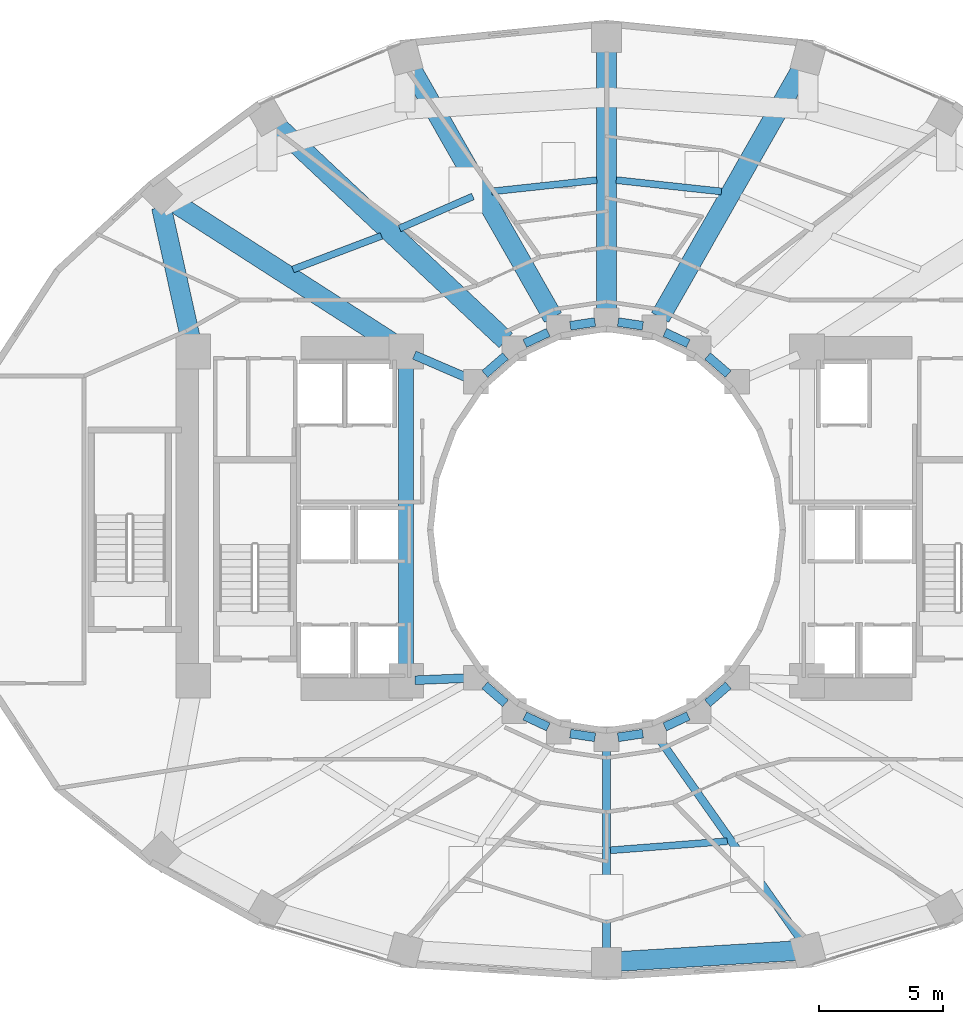
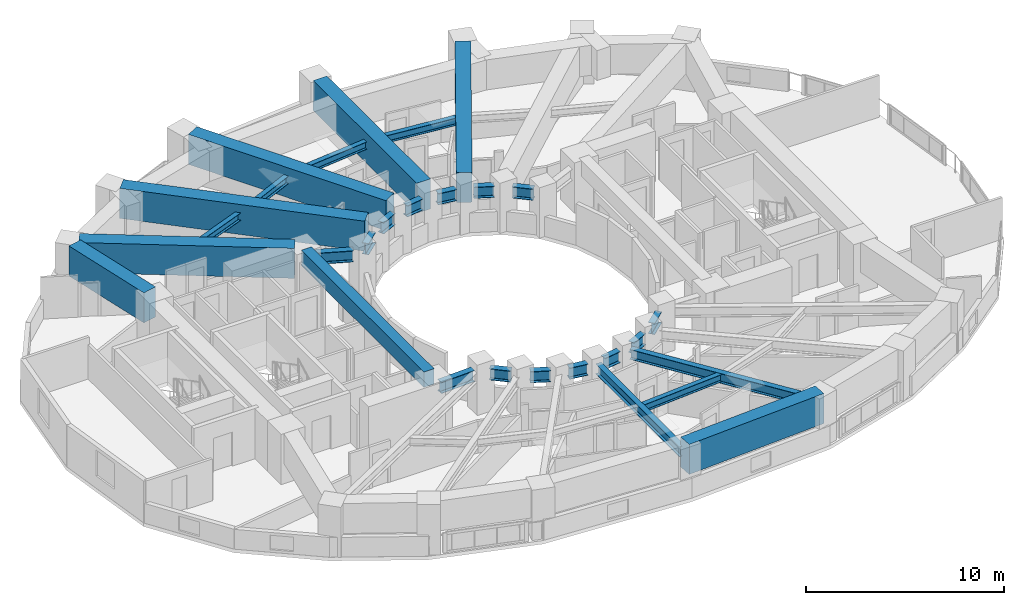
# One storey, part 5 of 22: 29 beams.
"""IFC4 building model written with IfcOpenShell, lengths in metres."""

from ifc_helpers import new_model, si_unit, direction, frame, origin, origin_2d, place, context, subcontext, project, spatial, rectangle, i_section, extrude, material, material_profile, profile_set, type_object, element, save


model = new_model("IFC4")

# Units and contexts
model_context = context("Model", 3, precision=1e-05, world=origin(), true_north=direction((0.0, 1.0)))
body_context = subcontext(model_context, "Body", "Model", "MODEL_VIEW")
ifc_project = project(units=[si_unit("LENGTHUNIT", "METRE"), si_unit("AREAUNIT", "SQUARE_METRE"), si_unit("VOLUMEUNIT", "CUBIC_METRE"), si_unit("PLANEANGLEUNIT", "RADIAN"), si_unit("MASSUNIT", "GRAM", prefix="KILO")], contexts=[model_context])

# Site, building, storey
site_placement = place(None, origin())
site = spatial("IfcSite", under=ifc_project, at=site_placement, CompositionType="ELEMENT")
building_placement = place(site_placement, origin())
building = spatial("IfcBuilding", under=site, at=building_placement, Name="Solvane Sanctuary Tower", CompositionType="ELEMENT")
storey_placement = place(building_placement, frame((0.0, 0.0, 43.10009765625)))
storey = spatial("IfcBuildingStorey", under=building, at=storey_placement, Name="L12", CompositionType="ELEMENT", Elevation=43.10009765625)

# Beams
ifc_material_1 = material(Name="Concrete C70/85", Category="concrete")
ifc_material_profile_1 = material_profile(ifc_material_1, rectangle(XDim=0.60009765625, YDim=0.949951171875, at=origin_2d()), Name="RC600X950")
ifc_profile_set_1 = profile_set([ifc_material_profile_1], Name="Concrete C70/85")
beam_type_1 = type_object("IfcBeamType", Name="Beam B-COUPLE RC600X950", PredefinedType="LINTEL", material=ifc_profile_set_1)
beam_1_placement = place(storey_placement, frame((23.89990234375, 17.35009765625, 2.625), z_axis=(0.0, 1.0, 0.0), x_axis=(-1.0, 0.0, 0.0)))
element("IfcBeam", 1, at=beam_1_placement, inside=storey, type_object=beam_type_1, Name="L12 West Core Coupling Lintel", PredefinedType="LINTEL", context=body_context, shape_type="SweptSolid", body=[
    extrude(rectangle(XDim=0.60009765625, YDim=0.949951171875, at=origin_2d()), origin(), (0.0, 0.0, 1.0), 12.39990234375),
])
ifc_material_2 = material(Name="Steel ASTM A992 Grade 50", Category="steel")
ifc_material_profile_2 = material_profile(ifc_material_2, i_section(OverallWidth=0.323974609375, OverallDepth=0.611083984375, WebThickness=0.0126953125, FlangeThickness=0.01904296875, FilletRadius=0.01611328125, at=origin_2d()), Name="W24X104")
ifc_profile_set_2 = profile_set([ifc_material_profile_2], Name="Steel ASTM A992 Grade 50")
beam_type_2 = type_object("IfcBeamType", Name="Beam B-RAD-Z1 W24X104", PredefinedType="BEAM", material=ifc_profile_set_2)
beam_2_placement = place(storey_placement, frame((32.0, 14.260009765625, 2.29248046875), z_axis=(0.0, -1.0, 0.0), x_axis=(1.0, 0.0, 0.0)))
element("IfcBeam", 2, at=beam_2_placement, inside=storey, type_object=beam_type_2, Name="L12 Radial Composite Floor Beam 11", PredefinedType="BEAM", context=body_context, shape_type="SweptSolid", body=[
    extrude(i_section(OverallWidth=0.323974609375, OverallDepth=0.611083984375, WebThickness=0.0126953125, FlangeThickness=0.01904296875, FilletRadius=0.01611328125, at=origin_2d()), origin(), (0.0, 0.0, 1.0), 8.4599609375),
])
beam_3_placement = place(storey_placement, frame((34.092041015625, 14.599609375, 2.29248046875), z_axis=(0.576233115666, -0.817285382476, 0.0), x_axis=(0.817285382476, 0.576233115666, 0.0)))
element("IfcBeam", 3, at=beam_3_placement, inside=storey, type_object=beam_type_2, Name="L12 Radial Composite Floor Beam 12", PredefinedType="BEAM", context=body_context, shape_type="SweptSolid", body=[
    extrude(i_section(OverallWidth=0.323974609375, OverallDepth=0.611083984375, WebThickness=0.0126953125, FlangeThickness=0.01904296875, FilletRadius=0.01611328125, at=origin_2d()), origin(), (0.0, 0.0, 1.0), 10.224365234375),
])
ifc_material_profile_3 = material_profile(ifc_material_2, i_section(OverallWidth=0.35498046875, OverallDepth=0.695068359375, WebThickness=0.015380859375, FlangeThickness=0.02490234375, FilletRadius=0.01806640625, at=origin_2d()), Name="W27X146")
ifc_profile_set_3 = profile_set([ifc_material_profile_3], Name="Steel ASTM A992 Grade 50")
beam_type_3 = type_object("IfcBeamType", Name="Beam B-RING-IN1 W27X146", PredefinedType="BEAM", material=ifc_profile_set_3)
beam_4_placement = place(storey_placement, frame((24.230712890625, 30.0576171875, 2.25048828125), z_axis=(0.918277080365, -0.395938383687, 0.0), x_axis=(0.395938383687, 0.918277080365, 0.0)))
element("IfcBeam", 4, at=beam_4_placement, inside=storey, type_object=beam_type_3, Name="L12 Inner Light-Well Ring Beam CW3-IC07", PredefinedType="BEAM", context=body_context, shape_type="SweptSolid", body=[
    extrude(i_section(OverallWidth=0.35498046875, OverallDepth=0.695068359375, WebThickness=0.015380859375, FlangeThickness=0.02490234375, FilletRadius=0.01806640625, at=origin_2d()), origin(), (0.0, 0.0, 1.0), 2.246337890625),
])
beam_5_placement = place(storey_placement, frame((27.07958984375, 29.29052734375, 2.25048828125), z_axis=(0.754320881993, 0.65650590781, 0.0), x_axis=(-0.65650590781, 0.754320881993, 0.0)))
element("IfcBeam", 5, at=beam_5_placement, inside=storey, type_object=beam_type_3, Name="L12 Inner Light-Well Ring Beam IC07-IC06", PredefinedType="BEAM", context=body_context, shape_type="SweptSolid", body=[
    extrude(i_section(OverallWidth=0.35498046875, OverallDepth=0.695068359375, WebThickness=0.015380859375, FlangeThickness=0.02490234375, FilletRadius=0.01806640625, at=origin_2d()), origin(), (0.0, 0.0, 1.0), 1.108154296875),
])
beam_6_placement = place(storey_placement, frame((28.6953125, 30.5263671875, 2.25048828125), z_axis=(0.905108885866, 0.42517984986, 0.0), x_axis=(-0.42517984986, 0.905108885866, 0.0)))
element("IfcBeam", 6, at=beam_6_placement, inside=storey, type_object=beam_type_3, Name="L12 Inner Light-Well Ring Beam IC06-IC05", PredefinedType="BEAM", context=body_context, shape_type="SweptSolid", body=[
    extrude(i_section(OverallWidth=0.35498046875, OverallDepth=0.695068359375, WebThickness=0.015380859375, FlangeThickness=0.02490234375, FilletRadius=0.01806640625, at=origin_2d()), origin(), (0.0, 0.0, 1.0), 1.0478515625),
])
for number, where, z_axis, x_axis, name in (
    (7, (30.533935546875, 31.2412109375, 2.25048828125), (0.989047520133, 0.147597435338, 0.0), (-0.147597435338, 0.989047520133, 0.0), "L12 Inner Light-Well Ring Beam IC05-IC04"),
    (8, (32.46484375, 31.390625, 2.25048828125), (0.989047520133, -0.147597435338, 0.0), (0.147597435338, 0.989047520133, 0.0), "L12 Inner Light-Well Ring Beam IC04-IC03"),
):
    element("IfcBeam", number, at=place(storey_placement, frame(where, z_axis=z_axis, x_axis=x_axis)), inside=storey, type_object=beam_type_3, Name=name, PredefinedType="BEAM", context=body_context, shape_type="SweptSolid", body=[
        extrude(i_section(OverallWidth=0.35498046875, OverallDepth=0.695068359375, WebThickness=0.015380859375, FlangeThickness=0.02490234375, FilletRadius=0.01806640625, at=origin_2d()), origin(), (0.0, 0.0, 1.0), 1.01220703125),
    ])
beam_7_placement = place(storey_placement, frame((34.356201171875, 30.971923828125, 2.25048828125), z_axis=(0.905108885866, -0.42517984986, 0.0), x_axis=(0.42517984986, 0.905108885866, 0.0)))
element("IfcBeam", 9, at=beam_7_placement, inside=storey, type_object=beam_type_3, Name="L12 Inner Light-Well Ring Beam IC03-IC02", PredefinedType="BEAM", context=body_context, shape_type="SweptSolid", body=[
    extrude(i_section(OverallWidth=0.35498046875, OverallDepth=0.695068359375, WebThickness=0.015380859375, FlangeThickness=0.02490234375, FilletRadius=0.01806640625, at=origin_2d()), origin(), (0.0, 0.0, 1.0), 1.0478515625),
])
beam_8_placement = place(storey_placement, frame((36.08447265625, 30.01806640625, 2.25048828125), z_axis=(0.754320881993, -0.65650590781, 0.0), x_axis=(0.65650590781, 0.754320881993, 0.0)))
element("IfcBeam", 10, at=beam_8_placement, inside=storey, type_object=beam_type_3, Name="L12 Inner Light-Well Ring Beam IC02-IC01", PredefinedType="BEAM", context=body_context, shape_type="SweptSolid", body=[
    extrude(i_section(OverallWidth=0.35498046875, OverallDepth=0.695068359375, WebThickness=0.015380859375, FlangeThickness=0.02490234375, FilletRadius=0.01806640625, at=origin_2d()), origin(), (0.0, 0.0, 1.0), 1.108154296875),
])
beam_9_placement = place(storey_placement, frame((24.259765625, 16.9150390625, 2.25048828125), z_axis=(0.999130953379, 0.041681386726, 0.0), x_axis=(-0.041681386726, 0.999130953379, 0.0)))
element("IfcBeam", 11, at=beam_9_placement, inside=storey, type_object=beam_type_3, Name="L12 Inner Light-Well Ring Beam CW2-IC08", PredefinedType="BEAM", context=body_context, shape_type="SweptSolid", body=[
    extrude(i_section(OverallWidth=0.35498046875, OverallDepth=0.695068359375, WebThickness=0.015380859375, FlangeThickness=0.02490234375, FilletRadius=0.01806640625, at=origin_2d()), origin(), (0.0, 0.0, 1.0), 1.997314453125),
])
beam_10_placement = place(storey_placement, frame((27.07958984375, 16.70947265625, 2.25048828125), z_axis=(0.754320881993, -0.65650590781, 0.0), x_axis=(0.65650590781, 0.754320881993, 0.0)))
element("IfcBeam", 12, at=beam_10_placement, inside=storey, type_object=beam_type_3, Name="L12 Inner Light-Well Ring Beam IC08-IC09", PredefinedType="BEAM", context=body_context, shape_type="SweptSolid", body=[
    extrude(i_section(OverallWidth=0.35498046875, OverallDepth=0.695068359375, WebThickness=0.015380859375, FlangeThickness=0.02490234375, FilletRadius=0.01806640625, at=origin_2d()), origin(), (0.0, 0.0, 1.0), 1.108154296875),
])
beam_11_placement = place(storey_placement, frame((28.6953125, 15.4736328125, 2.25048828125), z_axis=(0.905108885866, -0.42517984986, 0.0), x_axis=(0.42517984986, 0.905108885866, 0.0)))
element("IfcBeam", 13, at=beam_11_placement, inside=storey, type_object=beam_type_3, Name="L12 Inner Light-Well Ring Beam IC09-IC10", PredefinedType="BEAM", context=body_context, shape_type="SweptSolid", body=[
    extrude(i_section(OverallWidth=0.35498046875, OverallDepth=0.695068359375, WebThickness=0.015380859375, FlangeThickness=0.02490234375, FilletRadius=0.01806640625, at=origin_2d()), origin(), (0.0, 0.0, 1.0), 1.0478515625),
])
for number, where, z_axis, x_axis, name in (
    (14, (30.533935546875, 14.7587890625, 2.25048828125), (0.989047520133, -0.147597435338, 0.0), (0.147597435338, 0.989047520133, 0.0), "L12 Inner Light-Well Ring Beam IC10-IC11"),
    (15, (32.46484375, 14.609375, 2.25048828125), (0.989047520133, 0.147597435338, 0.0), (-0.147597435338, 0.989047520133, 0.0), "L12 Inner Light-Well Ring Beam IC11-IC12"),
):
    element("IfcBeam", number, at=place(storey_placement, frame(where, z_axis=z_axis, x_axis=x_axis)), inside=storey, type_object=beam_type_3, Name=name, PredefinedType="BEAM", context=body_context, shape_type="SweptSolid", body=[
        extrude(i_section(OverallWidth=0.35498046875, OverallDepth=0.695068359375, WebThickness=0.015380859375, FlangeThickness=0.02490234375, FilletRadius=0.01806640625, at=origin_2d()), origin(), (0.0, 0.0, 1.0), 1.01220703125),
    ])
beam_12_placement = place(storey_placement, frame((34.356201171875, 15.028076171875, 2.25048828125), z_axis=(0.905108885866, 0.42517984986, 0.0), x_axis=(-0.42517984986, 0.905108885866, 0.0)))
element("IfcBeam", 16, at=beam_12_placement, inside=storey, type_object=beam_type_3, Name="L12 Inner Light-Well Ring Beam IC12-IC13", PredefinedType="BEAM", context=body_context, shape_type="SweptSolid", body=[
    extrude(i_section(OverallWidth=0.35498046875, OverallDepth=0.695068359375, WebThickness=0.015380859375, FlangeThickness=0.02490234375, FilletRadius=0.01806640625, at=origin_2d()), origin(), (0.0, 0.0, 1.0), 1.0478515625),
])
beam_13_placement = place(storey_placement, frame((36.08447265625, 15.98193359375, 2.25048828125), z_axis=(0.754320881993, 0.65650590781, 0.0), x_axis=(-0.65650590781, 0.754320881993, 0.0)))
element("IfcBeam", 17, at=beam_13_placement, inside=storey, type_object=beam_type_3, Name="L12 Inner Light-Well Ring Beam IC13-IC14", PredefinedType="BEAM", context=body_context, shape_type="SweptSolid", body=[
    extrude(i_section(OverallWidth=0.35498046875, OverallDepth=0.695068359375, WebThickness=0.015380859375, FlangeThickness=0.02490234375, FilletRadius=0.01806640625, at=origin_2d()), origin(), (0.0, 0.0, 1.0), 1.108154296875),
])
ifc_material_profile_4 = material_profile(ifc_material_2, i_section(OverallWidth=0.280029296875, OverallDepth=0.462890625, WebThickness=0.0107421875, FlangeThickness=0.017333984375, FilletRadius=0.013916015625, at=origin_2d()), Name="W18X76")
ifc_profile_set_4 = profile_set([ifc_material_profile_4], Name="Steel ASTM A992 Grade 50")
beam_type_4 = type_object("IfcBeamType", Name="Beam B-SEC-JOIST W18X76", PredefinedType="JOIST", material=ifc_profile_set_4)
beam_14_placement = place(storey_placement, frame((19.323486328125, 33.51708984375, 2.366455078125), z_axis=(0.934953758498, 0.354769600544, 0.0), x_axis=(-0.354769600544, 0.934953758498, 0.0)))
element("IfcBeam", 18, at=beam_14_placement, inside=storey, type_object=beam_type_4, Name="L12 Secondary Circumferential Joist 07-06", PredefinedType="JOIST", context=body_context, shape_type="SweptSolid", body=[
    extrude(i_section(OverallWidth=0.280029296875, OverallDepth=0.462890625, WebThickness=0.0107421875, FlangeThickness=0.017333984375, FilletRadius=0.013916015625, at=origin_2d()), origin(), (0.0, 0.0, 1.0), 3.82763671875),
])
beam_15_placement = place(storey_placement, frame((23.63330078125, 35.17333984375, 2.366455078125), z_axis=(0.916364894528, 0.400344077111, 0.0), x_axis=(-0.400344077111, 0.916364894528, 0.0)))
element("IfcBeam", 19, at=beam_15_placement, inside=storey, type_object=beam_type_4, Name="L12 Secondary Circumferential Joist 06-05", PredefinedType="JOIST", context=body_context, shape_type="SweptSolid", body=[
    extrude(i_section(OverallWidth=0.280029296875, OverallDepth=0.462890625, WebThickness=0.0107421875, FlangeThickness=0.017333984375, FilletRadius=0.013916015625, at=origin_2d()), origin(), (0.0, 0.0, 1.0), 3.237548828125),
])
for number, where, z_axis, x_axis, name in (
    (20, (27.35498046875, 36.669921875, 2.366455078125), (0.994255907242, 0.107028925599, 0.0), (-0.107028925599, 0.994255907242, 0.0), "L12 Secondary Circumferential Joist 05-04"),
    (21, (32.392578125, 37.127685546875, 2.366455078125), (0.994255907242, -0.107028925599, 0.0), (0.107028925599, 0.994255907242, 0.0), "L12 Secondary Circumferential Joist 04-03"),
):
    element("IfcBeam", number, at=place(storey_placement, frame(where, z_axis=z_axis, x_axis=x_axis)), inside=storey, type_object=beam_type_4, Name=name, PredefinedType="JOIST", context=body_context, shape_type="SweptSolid", body=[
        extrude(i_section(OverallWidth=0.280029296875, OverallDepth=0.462890625, WebThickness=0.0107421875, FlangeThickness=0.017333984375, FilletRadius=0.013916015625, at=origin_2d()), origin(), (0.0, 0.0, 1.0), 4.277099609375),
    ])
beam_16_placement = place(storey_placement, frame((32.156494140625, 10.042236328125, 2.366455078125), z_axis=(0.996997851194, 0.077429223911, 0.0), x_axis=(-0.077429223911, 0.996997851194, 0.0)))
element("IfcBeam", 22, at=beam_16_placement, inside=storey, type_object=beam_type_4, Name="L12 Secondary Circumferential Joist 11-12", PredefinedType="JOIST", context=body_context, shape_type="SweptSolid", body=[
    extrude(i_section(OverallWidth=0.280029296875, OverallDepth=0.462890625, WebThickness=0.0107421875, FlangeThickness=0.017333984375, FilletRadius=0.013916015625, at=origin_2d()), origin(), (0.0, 0.0, 1.0), 4.739013671875),
])
ifc_material_profile_5 = material_profile(ifc_material_1, rectangle(XDim=0.800048828125, YDim=1.85009765625, at=origin_2d()), Name="RC800X1850")
ifc_profile_set_5 = profile_set([ifc_material_profile_5], Name="Concrete C70/85")
beam_type_5 = type_object("IfcBeamType", Name="Beam B-XFER-BLK RC800X1850", PredefinedType="BEAM", material=ifc_profile_set_5)
beam_17_placement = place(storey_placement, frame((34.163330078125, 31.580078125, 2.1748046875), z_axis=(0.494867837588, 0.868968252194, 0.0), x_axis=(-0.868968252194, 0.494867837588, 0.0)))
element("IfcBeam", 23, at=beam_17_placement, inside=storey, type_object=beam_type_5, Name="L12 Block-Shift Radial Transfer Girder 03A", PredefinedType="BEAM", context=body_context, shape_type="SweptSolid", body=[
    extrude(rectangle(XDim=0.800048828125, YDim=1.85009765625, at=origin_2d()), origin(), (0.0, 0.0, 1.0), 11.5673828125),
])
beam_18_placement = place(storey_placement, frame((32.0, 31.929931640625, 2.1748046875), z_axis=(0.0, 1.0, 0.0), x_axis=(-1.0, 0.0, 0.0)))
element("IfcBeam", 24, at=beam_18_placement, inside=storey, type_object=beam_type_5, Name="L12 Block-Shift Radial Transfer Girder 04A", PredefinedType="BEAM", context=body_context, shape_type="SweptSolid", body=[
    extrude(rectangle(XDim=0.800048828125, YDim=1.85009765625, at=origin_2d()), origin(), (0.0, 0.0, 1.0), 10.469970703125),
])
beam_19_placement = place(storey_placement, frame((29.836669921875, 31.580078125, 2.1748046875), z_axis=(-0.494867837588, 0.868968252194, 0.0), x_axis=(-0.868968252194, -0.494867837588, 0.0)))
element("IfcBeam", 25, at=beam_19_placement, inside=storey, type_object=beam_type_5, Name="L12 Block-Shift Radial Transfer Girder 05A", PredefinedType="BEAM", context=body_context, shape_type="SweptSolid", body=[
    extrude(rectangle(XDim=0.800048828125, YDim=1.85009765625, at=origin_2d()), origin(), (0.0, 0.0, 1.0), 11.5673828125),
])
beam_20_placement = place(storey_placement, frame((27.92724609375, 30.648193359375, 2.1748046875), z_axis=(-0.729350984505, 0.684139708979, 0.0), x_axis=(-0.684139708979, -0.729350984505, 0.0)))
element("IfcBeam", 26, at=beam_20_placement, inside=storey, type_object=beam_type_5, Name="L12 Block-Shift Radial Transfer Girder 06A", PredefinedType="BEAM", context=body_context, shape_type="SweptSolid", body=[
    extrude(rectangle(XDim=0.800048828125, YDim=1.85009765625, at=origin_2d()), origin(), (0.0, 0.0, 1.0), 12.717041015625),
])
beam_21_placement = place(storey_placement, frame((23.59716796875, 30.39453125, 2.1748046875), z_axis=(-0.841387683603, 0.540432017816, 0.0), x_axis=(-0.540432017816, -0.841387683603, 0.0)))
element("IfcBeam", 27, at=beam_21_placement, inside=storey, type_object=beam_type_5, Name="L12 Block-Shift Radial Transfer Girder 07A", PredefinedType="BEAM", context=body_context, shape_type="SweptSolid", body=[
    extrude(rectangle(XDim=0.800048828125, YDim=1.85009765625, at=origin_2d()), origin(), (0.0, 0.0, 1.0), 10.91650390625),
])
beam_22_placement = place(storey_placement, frame((15.22216796875, 30.551513671875, 2.1748046875), z_axis=(-0.216120353699, 0.976366730648, 0.0), x_axis=(-0.976366730648, -0.216120353699, 0.0)))
element("IfcBeam", 28, at=beam_22_placement, inside=storey, type_object=beam_type_5, Name="L12 Perimeter Step Transfer Ring CW4-NTC07", PredefinedType="BEAM", context=body_context, shape_type="SweptSolid", body=[
    extrude(rectangle(XDim=0.800048828125, YDim=1.85009765625, at=origin_2d()), origin(), (0.0, 0.0, 1.0), 5.61669921875),
])
beam_23_placement = place(storey_placement, frame((32.0, 5.52001953125, 2.1748046875), z_axis=(0.998162963029, 0.06058629579, 0.0), x_axis=(-0.06058629579, 0.998162963029, 0.0)))
element("IfcBeam", 29, at=beam_23_placement, inside=storey, type_object=beam_type_5, Name="L12 Perimeter Step Transfer Ring NTC11-NTC12", PredefinedType="BEAM", context=body_context, shape_type="SweptSolid", body=[
    extrude(rectangle(XDim=0.800048828125, YDim=1.85009765625, at=origin_2d()), origin(), (0.0, 0.0, 1.0), 8.159912109375),
])

save(model, "model.ifc")
